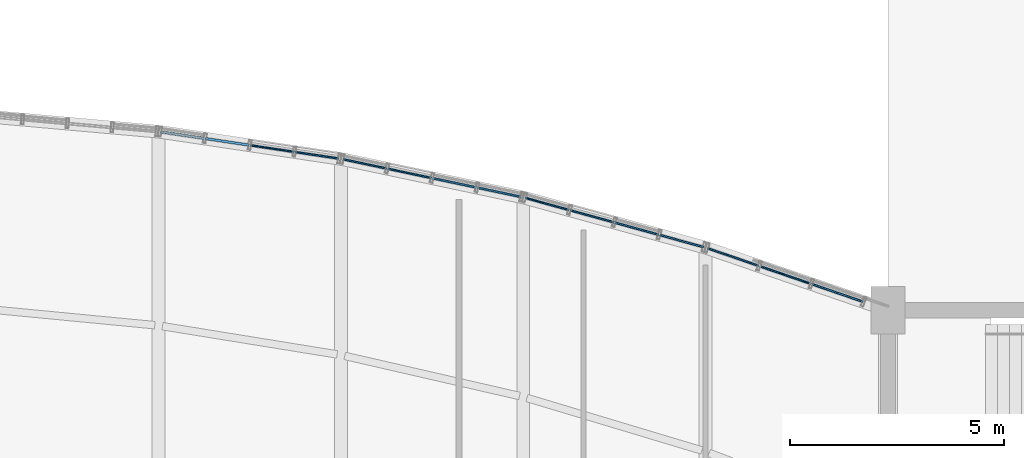
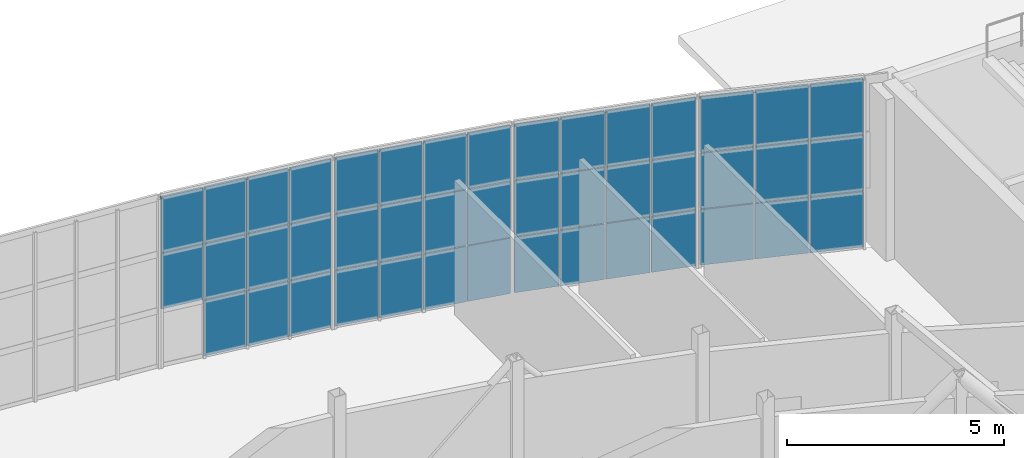
# One storey, part 61 of 86: 44 plates, 4 elements without a shape of their own.
"""IFC4 building model written with IfcOpenShell, lengths in metres."""

import ifcopenshell
import ifcopenshell.guid

model = None  # the IFC model being written
_history = None  # IfcOwnerHistory: only IFC2X3 demands one
_inside = {}  # id of a spatial element -> (the spatial element, [elements in it])
_under = {}  # id of a project, library or spatial element -> (it, [spatial elements below it])
_declared = {}  # id of a project -> (the project, [libraries it declares])
_typed = {}  # id of a type object -> (the type object, [elements of that type])
_made_of = {}  # id of a material, layer set ... -> (it, [elements and type objects made of it])


def new_model(schema):
    """Start an empty IFC model of exactly this schema.

    Asked for "IFC4X3", IfcOpenShell would pick the latest addendum, in which some entities
    have other attributes; the version numbers below select the first issue.
    IFC2X3 requires an IfcOwnerHistory on every rooted entity: one is made here for all.
    """
    global model, _history
    if schema == "IFC4X3":
        model = ifcopenshell.file(schema_version=(4, 3, 0, 0))
    else:
        model = ifcopenshell.file(schema=schema)
    _inside.clear()
    _under.clear()
    _declared.clear()
    _typed.clear()
    _made_of.clear()
    _history = None
    if model.schema == "IFC2X3":
        org = make("IfcOrganization", Name="unknown")
        user = make(
            "IfcPersonAndOrganization",
            ThePerson=make("IfcPerson", FamilyName="unknown"),
            TheOrganization=org,
        )
        app = make(
            "IfcApplication",
            ApplicationDeveloper=org,
            Version="unknown",
            ApplicationFullName="unknown",
            ApplicationIdentifier="unknown",
        )
        _history = make(
            "IfcOwnerHistory",
            OwningUser=user,
            OwningApplication=app,
            ChangeAction="ADDED",
            CreationDate=0,
        )
    return model


def make(cls, **values):
    """One entity of the class cls with the attributes given. An attribute that is None is left unset."""
    return model.create_entity(
        cls, **{name: value for name, value in values.items() if value is not None}
    )


def rooted(cls, **values):
    """An entity with a GlobalId (a new one), such as an element, a storey or a relation."""
    return make(cls, GlobalId=ifcopenshell.guid.new(), OwnerHistory=_history, **values)


def si_unit(unit_type, name, prefix=None):
    """IfcSIUnit, for example si_unit("LENGTHUNIT", "METRE", prefix="MILLI")."""
    return make("IfcSIUnit", UnitType=unit_type, Prefix=prefix, Name=name)


def assignment(units):
    """IfcUnitAssignment: the units of a project."""
    return None if units is None else make("IfcUnitAssignment", Units=units)


def point(xyz):
    """IfcCartesianPoint."""
    return None if xyz is None else make("IfcCartesianPoint", Coordinates=xyz)


def direction(xyz):
    """IfcDirection."""
    return None if xyz is None else make("IfcDirection", DirectionRatios=xyz)


def frame(location, z_axis=None, x_axis=None):
    """IfcAxis2Placement3D, a coordinate frame: its origin and axes. An axis left out is left unset."""
    return make(
        "IfcAxis2Placement3D",
        Location=point(location),
        Axis=direction(z_axis),
        RefDirection=direction(x_axis),
    )


def frame_2d(location, x_axis=None):
    """IfcAxis2Placement2D, a coordinate frame in the plane: its origin and x axis."""
    return make(
        "IfcAxis2Placement2D", Location=point(location), RefDirection=direction(x_axis)
    )


def origin():
    """The frame at (0, 0, 0) with its axes left unset."""
    return frame((0.0, 0.0, 0.0))


def origin_2d():
    """The frame at (0, 0) in the plane with its x axis left unset."""
    return frame_2d((0.0, 0.0))


def place(relative_to, where):
    """IfcLocalPlacement: puts the frame where relative to a parent placement (None: the world)."""
    return make(
        "IfcLocalPlacement", PlacementRelTo=relative_to, RelativePlacement=where
    )


def context(
    kind, dimensions, precision=None, world=None, true_north=None, identifier=None
):
    """IfcGeometricRepresentationContext, for example the 3D "Model" context."""
    return make(
        "IfcGeometricRepresentationContext",
        ContextIdentifier=identifier,
        ContextType=kind,
        CoordinateSpaceDimension=dimensions,
        Precision=precision,
        WorldCoordinateSystem=world,
        TrueNorth=true_north,
    )


def subcontext(parent, identifier, kind, view, scale=None):
    """IfcGeometricRepresentationSubContext, for example "Body" below "Model"."""
    return make(
        "IfcGeometricRepresentationSubContext",
        ContextIdentifier=identifier,
        ContextType=kind,
        ParentContext=parent,
        TargetScale=scale,
        TargetView=view,
    )


def project(units=None, contexts=None):
    """IfcProject with its units and contexts."""
    return rooted(
        "IfcProject",
        Name="project",
        RepresentationContexts=contexts,
        UnitsInContext=assignment(units),
    )


def spatial(cls, under=None, at=None, **own):
    """A site, building, storey or space (cls), placed at a placement, below another one or the project."""
    s = rooted(cls, ObjectPlacement=at, **own)
    if under is not None:
        _under.setdefault(under.id(), (under, []))[1].append(s)
    return s


def profile(cls, at=None, kind="AREA", **sizes):
    """A parametric profile (cls). Its sizes go by their IFC names, for example OverallWidth=200.0."""
    return make(cls, ProfileType=kind, Position=at, **sizes)


def rectangle(**sizes):
    """IfcRectangleProfileDef."""
    return profile("IfcRectangleProfileDef", **sizes)


def extrude(swept, where, along, depth):
    """IfcExtrudedAreaSolid: the profile swept, set in the frame where, extruded along a direction by depth."""
    return make(
        "IfcExtrudedAreaSolid",
        SweptArea=swept,
        Position=where,
        ExtrudedDirection=direction(along),
        Depth=depth,
    )


def shape(context_of_items, identifier, shape_type, items):
    """IfcShapeRepresentation: the items that make up one representation, for example the "Body"."""
    return make(
        "IfcShapeRepresentation",
        ContextOfItems=context_of_items,
        RepresentationIdentifier=identifier,
        RepresentationType=shape_type,
        Items=items,
    )


def material(Name=None, Category=None):
    """IfcMaterial."""
    return make("IfcMaterial", Name=Name, Category=Category)


def layer(
    of_material, thickness, ventilated=None, Name=None, Category=None, Priority=None
):
    """IfcMaterialLayer: one layer of a wall or slab, of a material (None: an air gap)."""
    return make(
        "IfcMaterialLayer",
        Material=of_material,
        LayerThickness=thickness,
        IsVentilated=ventilated,
        Name=Name,
        Category=Category,
        Priority=Priority,
    )


def layer_set(layers, Name=None):
    """IfcMaterialLayerSet."""
    return make("IfcMaterialLayerSet", MaterialLayers=layers, LayerSetName=Name)


def made_of(thing, what):
    """Note that an element or type object is made of a material, layer set ...; save() writes the relation."""
    if what is not None:
        _made_of.setdefault(what.id(), (what, []))[1].append(thing)
    return thing


def type_object(cls, material=None, **own):
    """A type object (cls), such as IfcWallType, which elements share."""
    return made_of(rooted(cls, **own), material)


def element(
    cls,
    number,
    at=None,
    inside=None,
    cuts=None,
    type_object=None,
    material=None,
    context=None,
    identifier="Body",
    shape_type=None,
    held_by="IfcProductDefinitionShape",
    body=None,
    shapes=None,
    **own,
):
    """One element of the class cls, such as IfcWall. Its Tag is "e" and its number.

    at: its placement. inside: the storey or other place that contains it. cuts: it is an
    opening in that element (IfcRelVoidsElement). A single representation is given by context,
    identifier, shape_type and body (its items); several are given by shapes. held_by: the class
    of the entity that holds the representations. save() writes the other relations.
    """
    e = rooted(cls, Tag="e%d" % number, ObjectPlacement=at, **own)
    if body is not None:
        shapes = [shape(context, identifier, shape_type, body)]
    if shapes is not None:
        e.Representation = make(held_by, Representations=shapes)
    if inside is not None:
        _inside.setdefault(inside.id(), (inside, []))[1].append(e)
    if cuts is not None:
        rooted(
            "IfcRelVoidsElement", RelatingBuildingElement=cuts, RelatedOpeningElement=e
        )
    if type_object is not None:
        _typed.setdefault(type_object.id(), (type_object, []))[1].append(e)
    return made_of(e, material)


def aggregate(whole, parts):
    """IfcRelAggregates: a whole, such as a stair, and the parts it consists of."""
    return rooted("IfcRelAggregates", RelatingObject=whole, RelatedObjects=parts)


def save(model, path):
    """Write the relations noted so far, then the file.

    IfcRelAggregates (storeys below a building ...), IfcRelContainedInSpatialStructure (elements
    in a storey), IfcRelDefinesByType, IfcRelAssociatesMaterial and IfcRelDeclares: one each for
    every whole, place, type object, material and project.
    """
    for whole, parts in _under.values():
        aggregate(whole, parts)
    for where, things in _inside.values():
        rooted(
            "IfcRelContainedInSpatialStructure",
            RelatedElements=things,
            RelatingStructure=where,
        )
    for kind, things in _typed.values():
        rooted("IfcRelDefinesByType", RelatedObjects=things, RelatingType=kind)
    for what, things in _made_of.values():
        rooted("IfcRelAssociatesMaterial", RelatedObjects=things, RelatingMaterial=what)
    for by, libraries in _declared.values():
        rooted("IfcRelDeclares", RelatingContext=by, RelatedDefinitions=libraries)
    model.write(path)


model = new_model("IFC4")

# Units and contexts
model_context = context("Model", 3, precision=1e-05, world=origin(), true_north=direction((0.0, 1.0)))
body_context = subcontext(model_context, "Body", "Model", "MODEL_VIEW")
ifc_project = project(units=[si_unit("LENGTHUNIT", "METRE"), si_unit("AREAUNIT", "SQUARE_METRE"), si_unit("VOLUMEUNIT", "CUBIC_METRE"), si_unit("PLANEANGLEUNIT", "RADIAN"), si_unit("MASSUNIT", "GRAM", prefix="KILO")], contexts=[model_context])

# Site, building, storey
site_placement = place(None, origin())
site = spatial("IfcSite", under=ifc_project, at=site_placement, CompositionType="ELEMENT")
building_placement = place(site_placement, origin())
building = spatial("IfcBuilding", under=site, at=building_placement, Name="Solvikara Media Centre", CompositionType="ELEMENT")
storey_placement = place(building_placement, frame((0.0, 0.0, 15.0)))
storey = spatial("IfcBuildingStorey", under=building, at=storey_placement, Name="L03", CompositionType="ELEMENT", Elevation=15.0)

# Curtain wall, plates
ifc_material_1 = material(Name="Anodised aluminium EN AW-6063", Category="aluminium")
curtain_wall_type = type_object("IfcCurtainWallType", Name="CW-02", PredefinedType="NOTDEFINED", material=ifc_material_1)
curtain_wall_1_placement = place(storey_placement, origin())
curtain_wall_1 = element("IfcCurtainWall", 1, at=curtain_wall_1_placement, inside=storey, type_object=curtain_wall_type, Name="CW-L03-NARC-08", PredefinedType="NOTDEFINED")
ifc_material_2 = material(Name="Laminated solar-control cyan vision glass", Category="glass")
ifc_layer_1 = layer(ifc_material_2, 0.035888671875)
ifc_layer_set_1 = layer_set([ifc_layer_1], Name="Laminated solar-control cyan vision glass")
plate_type_1 = type_object("IfcPlateType", Name="PN-01", PredefinedType="CURTAIN_PANEL", material=ifc_layer_set_1)
plate_1_placement = place(storey_placement, frame((113.14794921875, 40.568115234375, 0.03466796875), z_axis=(0.0, 0.0, 1.0), x_axis=(0.989005541908, -0.147878457102, 0.0)))
plate_1 = element("IfcPlate", 2, at=plate_1_placement, type_object=plate_type_1, Name="CW-L03-NARC-08-P0200", PredefinedType="CURTAIN_PANEL", context=body_context, shape_type="SweptSolid", body=[
    extrude(rectangle(XDim=1.027099609375, YDim=0.035888671875, at=origin_2d()), origin(), (0.0, 0.0, 1.0), 1.556884765625),
])
plate_2_placement = place(storey_placement, frame((113.14794921875, 40.568115234375, 1.62158203125), z_axis=(0.0, 0.0, 1.0), x_axis=(0.989005541908, -0.147878457102, 0.0)))
plate_2 = element("IfcPlate", 3, at=plate_2_placement, type_object=plate_type_1, Name="CW-L03-NARC-08-P0201", PredefinedType="CURTAIN_PANEL", context=body_context, shape_type="SweptSolid", body=[
    extrude(rectangle(XDim=1.027099609375, YDim=0.035888671875, at=origin_2d()), origin(), (0.0, 0.0, 1.0), 1.556884765625),
])
plate_3_placement = place(storey_placement, frame((114.19189453125, 40.412109375, 0.03466796875), z_axis=(0.0, 0.0, 1.0), x_axis=(0.989005541908, -0.147878457102, 0.0)))
plate_3 = element("IfcPlate", 4, at=plate_3_placement, type_object=plate_type_1, Name="CW-L03-NARC-08-P0300", PredefinedType="CURTAIN_PANEL", context=body_context, shape_type="SweptSolid", body=[
    extrude(rectangle(XDim=1.027099609375, YDim=0.035888671875, at=origin_2d()), origin(), (0.0, 0.0, 1.0), 1.556884765625),
])

curtain_wall_2_placement = place(storey_placement, origin())
curtain_wall_2 = element("IfcCurtainWall", 5, at=curtain_wall_2_placement, inside=storey, type_object=curtain_wall_type, Name="CW-L03-NARC-09", PredefinedType="NOTDEFINED")
plate_4_placement = place(storey_placement, frame((115.305908203125, 40.2119140625, 0.03466796875), z_axis=(0.0, 0.0, 1.0), x_axis=(0.97837923005, -0.206818959981, 0.0)))
plate_4 = element("IfcPlate", 6, at=plate_4_placement, type_object=plate_type_1, Name="CW-L03-NARC-09-P0000", PredefinedType="CURTAIN_PANEL", context=body_context, shape_type="SweptSolid", body=[
    extrude(rectangle(XDim=1.0390625, YDim=0.035888671875, at=origin_2d()), origin(), (0.0, 0.0, 1.0), 1.556884765625),
])
plate_5_placement = place(storey_placement, frame((116.35205078125, 39.989990234375, 1.62158203125), z_axis=(0.0, 0.0, 1.0), x_axis=(0.97837923005, -0.206818959981, 0.0)))
plate_5 = element("IfcPlate", 7, at=plate_5_placement, type_object=plate_type_1, Name="CW-L03-NARC-09-P0101", PredefinedType="CURTAIN_PANEL", context=body_context, shape_type="SweptSolid", body=[
    extrude(rectangle(XDim=1.0390625, YDim=0.035888671875, at=origin_2d()), origin(), (0.0, 0.0, 1.0), 1.556884765625),
])
plate_6_placement = place(storey_placement, frame((117.39794921875, 39.76904296875, 1.62158203125), z_axis=(0.0, 0.0, 1.0), x_axis=(0.97837923005, -0.206818959981, 0.0)))
plate_6 = element("IfcPlate", 8, at=plate_6_placement, type_object=plate_type_1, Name="CW-L03-NARC-09-P0201", PredefinedType="CURTAIN_PANEL", context=body_context, shape_type="SweptSolid", body=[
    extrude(rectangle(XDim=1.0390625, YDim=0.035888671875, at=origin_2d()), origin(), (0.0, 0.0, 1.0), 1.556884765625),
])
plate_7_placement = place(storey_placement, frame((118.443115234375, 39.549072265625, 0.03466796875), z_axis=(0.0, 0.0, 1.0), x_axis=(0.97837923005, -0.206818959981, 0.0)))
plate_7 = element("IfcPlate", 9, at=plate_7_placement, type_object=plate_type_1, Name="CW-L03-NARC-09-P0300", PredefinedType="CURTAIN_PANEL", context=body_context, shape_type="SweptSolid", body=[
    extrude(rectangle(XDim=1.0390625, YDim=0.035888671875, at=origin_2d()), origin(), (0.0, 0.0, 1.0), 1.556884765625),
])

curtain_wall_3_placement = place(storey_placement, origin())
curtain_wall_3 = element("IfcCurtainWall", 10, at=curtain_wall_3_placement, inside=storey, type_object=curtain_wall_type, Name="CW-L03-NARC-10", PredefinedType="NOTDEFINED")
plate_8_placement = place(storey_placement, frame((119.556884765625, 39.278076171875, 0.03466796875), z_axis=(0.0, 0.0, 1.0), x_axis=(0.964030487854, -0.265791682504, 0.0)))
plate_8 = element("IfcPlate", 11, at=plate_8_placement, type_object=plate_type_1, Name="CW-L03-NARC-10-P0000", PredefinedType="CURTAIN_PANEL", context=body_context, shape_type="SweptSolid", body=[
    extrude(rectangle(XDim=1.054931640625, YDim=0.035888671875, at=origin_2d()), origin(), (0.0, 0.0, 1.0), 1.556884765625),
])
plate_9_placement = place(storey_placement, frame((119.556884765625, 39.278076171875, 3.20849609375), z_axis=(0.0, 0.0, 1.0), x_axis=(0.964030487854, -0.265791682504, 0.0)))
plate_9 = element("IfcPlate", 12, at=plate_9_placement, type_object=plate_type_1, Name="CW-L03-NARC-10-P0002", PredefinedType="CURTAIN_PANEL", context=body_context, shape_type="SweptSolid", body=[
    extrude(rectangle(XDim=1.054931640625, YDim=0.035888671875, at=origin_2d()), origin(), (0.0, 0.0, 1.0), 1.556884765625),
])
plate_10_placement = place(storey_placement, frame((120.60205078125, 38.989990234375, 1.62158203125), z_axis=(0.0, 0.0, 1.0), x_axis=(0.964030487854, -0.265791682504, 0.0)))
plate_10 = element("IfcPlate", 13, at=plate_10_placement, type_object=plate_type_1, Name="CW-L03-NARC-10-P0101", PredefinedType="CURTAIN_PANEL", context=body_context, shape_type="SweptSolid", body=[
    extrude(rectangle(XDim=1.054931640625, YDim=0.035888671875, at=origin_2d()), origin(), (0.0, 0.0, 1.0), 1.556884765625),
])

curtain_wall_4_placement = place(storey_placement, origin())
curtain_wall_4 = element("IfcCurtainWall", 14, at=curtain_wall_4_placement, inside=storey, type_object=curtain_wall_type, Name="CW-L03-NARC-11", PredefinedType="NOTDEFINED")
plate_11_placement = place(storey_placement, frame((123.89208984375, 38.0400390625, 3.20849609375), z_axis=(0.0, 0.0, 1.0), x_axis=(0.945717277442, -0.324990509319, 0.0)))
plate_11 = element("IfcPlate", 15, at=plate_11_placement, type_object=plate_type_1, Name="CW-L03-NARC-11-P0002", PredefinedType="CURTAIN_PANEL", context=body_context, shape_type="SweptSolid", body=[
    extrude(rectangle(XDim=1.257080078125, YDim=0.035888671875, at=origin_2d()), origin(), (0.0, 0.0, 1.0), 1.556884765625),
])
plate_12_placement = place(storey_placement, frame((125.10888671875, 37.62109375, 0.03466796875), z_axis=(0.0, 0.0, 1.0), x_axis=(0.945717277442, -0.324990509319, 0.0)))
plate_12 = element("IfcPlate", 16, at=plate_12_placement, type_object=plate_type_1, Name="CW-L03-NARC-11-P0100", PredefinedType="CURTAIN_PANEL", context=body_context, shape_type="SweptSolid", body=[
    extrude(rectangle(XDim=1.257080078125, YDim=0.035888671875, at=origin_2d()), origin(), (0.0, 0.0, 1.0), 1.556884765625),
])

# Plate
ifc_material_3 = material(Name="Ceramic-fritted teal low-E glass", Category="glass")
ifc_layer_2 = layer(ifc_material_3, 0.0419921875)
ifc_layer_set_2 = layer_set([ifc_layer_2], Name="Ceramic-fritted teal low-E glass")
plate_type_2 = type_object("IfcPlateType", Name="PN-02", PredefinedType="CURTAIN_PANEL", material=ifc_layer_set_2)
plate_13_placement = place(storey_placement, frame((111.056884765625, 40.881103515625, 1.62158203125), z_axis=(0.0, 0.0, 1.0), x_axis=(0.989005541908, -0.147878457102, 0.0)))
plate_13 = element("IfcPlate", 17, at=plate_13_placement, type_object=plate_type_2, Name="CW-L03-NARC-08-P0001", PredefinedType="CURTAIN_PANEL", context=body_context, shape_type="SweptSolid", body=[
    extrude(rectangle(XDim=1.027099609375, YDim=0.0419921875, at=origin_2d()), origin(), (0.0, 0.0, 1.0), 1.556884765625),
])

plate_14_placement = place(storey_placement, frame((113.14794921875, 40.568115234375, 3.20849609375), z_axis=(0.0, 0.0, 1.0), x_axis=(0.989005541908, -0.147878457102, 0.0)))
plate_14 = element("IfcPlate", 18, at=plate_14_placement, type_object=plate_type_2, Name="CW-L03-NARC-08-P0202", PredefinedType="CURTAIN_PANEL", context=body_context, shape_type="SweptSolid", body=[
    extrude(rectangle(XDim=1.027099609375, YDim=0.0419921875, at=origin_2d()), origin(), (0.0, 0.0, 1.0), 1.556884765625),
])

plate_15_placement = place(storey_placement, frame((114.19189453125, 40.412109375, 1.62158203125), z_axis=(0.0, 0.0, 1.0), x_axis=(0.989005541908, -0.147878457102, 0.0)))
plate_15 = element("IfcPlate", 19, at=plate_15_placement, type_object=plate_type_2, Name="CW-L03-NARC-08-P0301", PredefinedType="CURTAIN_PANEL", context=body_context, shape_type="SweptSolid", body=[
    extrude(rectangle(XDim=1.027099609375, YDim=0.0419921875, at=origin_2d()), origin(), (0.0, 0.0, 1.0), 1.556884765625),
])

plate_16_placement = place(storey_placement, frame((114.19189453125, 40.412109375, 3.20849609375), z_axis=(0.0, 0.0, 1.0), x_axis=(0.989005541908, -0.147878457102, 0.0)))
plate_16 = element("IfcPlate", 20, at=plate_16_placement, type_object=plate_type_2, Name="CW-L03-NARC-08-P0302", PredefinedType="CURTAIN_PANEL", context=body_context, shape_type="SweptSolid", body=[
    extrude(rectangle(XDim=1.027099609375, YDim=0.0419921875, at=origin_2d()), origin(), (0.0, 0.0, 1.0), 1.556884765625),
])

plate_17_placement = place(storey_placement, frame((115.305908203125, 40.2119140625, 1.62158203125), z_axis=(0.0, 0.0, 1.0), x_axis=(0.97837923005, -0.206818959981, 0.0)))
plate_17 = element("IfcPlate", 21, at=plate_17_placement, type_object=plate_type_2, Name="CW-L03-NARC-09-P0001", PredefinedType="CURTAIN_PANEL", context=body_context, shape_type="SweptSolid", body=[
    extrude(rectangle(XDim=1.0390625, YDim=0.0419921875, at=origin_2d()), origin(), (0.0, 0.0, 1.0), 1.556884765625),
])

plate_18_placement = place(storey_placement, frame((115.305908203125, 40.2119140625, 3.20849609375), z_axis=(0.0, 0.0, 1.0), x_axis=(0.97837923005, -0.206818959981, 0.0)))
plate_18 = element("IfcPlate", 22, at=plate_18_placement, type_object=plate_type_2, Name="CW-L03-NARC-09-P0002", PredefinedType="CURTAIN_PANEL", context=body_context, shape_type="SweptSolid", body=[
    extrude(rectangle(XDim=1.0390625, YDim=0.0419921875, at=origin_2d()), origin(), (0.0, 0.0, 1.0), 1.556884765625),
])

plate_19_placement = place(storey_placement, frame((116.35205078125, 39.989990234375, 0.03466796875), z_axis=(0.0, 0.0, 1.0), x_axis=(0.97837923005, -0.206818959981, 0.0)))
plate_19 = element("IfcPlate", 23, at=plate_19_placement, type_object=plate_type_2, Name="CW-L03-NARC-09-P0100", PredefinedType="CURTAIN_PANEL", context=body_context, shape_type="SweptSolid", body=[
    extrude(rectangle(XDim=1.0390625, YDim=0.0419921875, at=origin_2d()), origin(), (0.0, 0.0, 1.0), 1.556884765625),
])

plate_20_placement = place(storey_placement, frame((116.35205078125, 39.989990234375, 3.20849609375), z_axis=(0.0, 0.0, 1.0), x_axis=(0.97837923005, -0.206818959981, 0.0)))
plate_20 = element("IfcPlate", 24, at=plate_20_placement, type_object=plate_type_2, Name="CW-L03-NARC-09-P0102", PredefinedType="CURTAIN_PANEL", context=body_context, shape_type="SweptSolid", body=[
    extrude(rectangle(XDim=1.0390625, YDim=0.0419921875, at=origin_2d()), origin(), (0.0, 0.0, 1.0), 1.556884765625),
])

plate_21_placement = place(storey_placement, frame((117.39794921875, 39.76904296875, 0.03466796875), z_axis=(0.0, 0.0, 1.0), x_axis=(0.97837923005, -0.206818959981, 0.0)))
plate_21 = element("IfcPlate", 25, at=plate_21_placement, type_object=plate_type_2, Name="CW-L03-NARC-09-P0200", PredefinedType="CURTAIN_PANEL", context=body_context, shape_type="SweptSolid", body=[
    extrude(rectangle(XDim=1.0390625, YDim=0.0419921875, at=origin_2d()), origin(), (0.0, 0.0, 1.0), 1.556884765625),
])

plate_22_placement = place(storey_placement, frame((118.443115234375, 39.549072265625, 3.20849609375), z_axis=(0.0, 0.0, 1.0), x_axis=(0.97837923005, -0.206818959981, 0.0)))
plate_22 = element("IfcPlate", 26, at=plate_22_placement, type_object=plate_type_2, Name="CW-L03-NARC-09-P0302", PredefinedType="CURTAIN_PANEL", context=body_context, shape_type="SweptSolid", body=[
    extrude(rectangle(XDim=1.0390625, YDim=0.0419921875, at=origin_2d()), origin(), (0.0, 0.0, 1.0), 1.556884765625),
])

plate_23_placement = place(storey_placement, frame((119.556884765625, 39.278076171875, 1.62158203125), z_axis=(0.0, 0.0, 1.0), x_axis=(0.964030487854, -0.265791682504, 0.0)))
plate_23 = element("IfcPlate", 27, at=plate_23_placement, type_object=plate_type_2, Name="CW-L03-NARC-10-P0001", PredefinedType="CURTAIN_PANEL", context=body_context, shape_type="SweptSolid", body=[
    extrude(rectangle(XDim=1.054931640625, YDim=0.0419921875, at=origin_2d()), origin(), (0.0, 0.0, 1.0), 1.556884765625),
])

plate_24_placement = place(storey_placement, frame((120.60205078125, 38.989990234375, 0.03466796875), z_axis=(0.0, 0.0, 1.0), x_axis=(0.964030487854, -0.265791682504, 0.0)))
plate_24 = element("IfcPlate", 28, at=plate_24_placement, type_object=plate_type_2, Name="CW-L03-NARC-10-P0100", PredefinedType="CURTAIN_PANEL", context=body_context, shape_type="SweptSolid", body=[
    extrude(rectangle(XDim=1.054931640625, YDim=0.0419921875, at=origin_2d()), origin(), (0.0, 0.0, 1.0), 1.556884765625),
])

plate_25_placement = place(storey_placement, frame((120.60205078125, 38.989990234375, 3.20849609375), z_axis=(0.0, 0.0, 1.0), x_axis=(0.964030487854, -0.265791682504, 0.0)))
plate_25 = element("IfcPlate", 29, at=plate_25_placement, type_object=plate_type_2, Name="CW-L03-NARC-10-P0102", PredefinedType="CURTAIN_PANEL", context=body_context, shape_type="SweptSolid", body=[
    extrude(rectangle(XDim=1.054931640625, YDim=0.0419921875, at=origin_2d()), origin(), (0.0, 0.0, 1.0), 1.556884765625),
])

plate_26_placement = place(storey_placement, frame((121.64697265625, 38.700927734375, 0.03466796875), z_axis=(0.0, 0.0, 1.0), x_axis=(0.964030487854, -0.265791682504, 0.0)))
plate_26 = element("IfcPlate", 30, at=plate_26_placement, type_object=plate_type_2, Name="CW-L03-NARC-10-P0200", PredefinedType="CURTAIN_PANEL", context=body_context, shape_type="SweptSolid", body=[
    extrude(rectangle(XDim=1.054931640625, YDim=0.0419921875, at=origin_2d()), origin(), (0.0, 0.0, 1.0), 1.556884765625),
])

plate_27_placement = place(storey_placement, frame((121.64697265625, 38.700927734375, 1.62158203125), z_axis=(0.0, 0.0, 1.0), x_axis=(0.964030487854, -0.265791682504, 0.0)))
plate_27 = element("IfcPlate", 31, at=plate_27_placement, type_object=plate_type_2, Name="CW-L03-NARC-10-P0201", PredefinedType="CURTAIN_PANEL", context=body_context, shape_type="SweptSolid", body=[
    extrude(rectangle(XDim=1.054931640625, YDim=0.0419921875, at=origin_2d()), origin(), (0.0, 0.0, 1.0), 1.556884765625),
])

plate_28_placement = place(storey_placement, frame((122.693115234375, 38.4130859375, 0.03466796875), z_axis=(0.0, 0.0, 1.0), x_axis=(0.964030487854, -0.265791682504, 0.0)))
plate_28 = element("IfcPlate", 32, at=plate_28_placement, type_object=plate_type_2, Name="CW-L03-NARC-10-P0300", PredefinedType="CURTAIN_PANEL", context=body_context, shape_type="SweptSolid", body=[
    extrude(rectangle(XDim=1.054931640625, YDim=0.0419921875, at=origin_2d()), origin(), (0.0, 0.0, 1.0), 1.556884765625),
])

plate_29_placement = place(storey_placement, frame((122.693115234375, 38.4130859375, 1.62158203125), z_axis=(0.0, 0.0, 1.0), x_axis=(0.964030487854, -0.265791682504, 0.0)))
plate_29 = element("IfcPlate", 33, at=plate_29_placement, type_object=plate_type_2, Name="CW-L03-NARC-10-P0301", PredefinedType="CURTAIN_PANEL", context=body_context, shape_type="SweptSolid", body=[
    extrude(rectangle(XDim=1.054931640625, YDim=0.0419921875, at=origin_2d()), origin(), (0.0, 0.0, 1.0), 1.556884765625),
])

plate_30_placement = place(storey_placement, frame((122.693115234375, 38.4130859375, 3.20849609375), z_axis=(0.0, 0.0, 1.0), x_axis=(0.964030487854, -0.265791682504, 0.0)))
plate_30 = element("IfcPlate", 34, at=plate_30_placement, type_object=plate_type_2, Name="CW-L03-NARC-10-P0302", PredefinedType="CURTAIN_PANEL", context=body_context, shape_type="SweptSolid", body=[
    extrude(rectangle(XDim=1.054931640625, YDim=0.0419921875, at=origin_2d()), origin(), (0.0, 0.0, 1.0), 1.556884765625),
])

plate_31_placement = place(storey_placement, frame((123.89208984375, 38.0400390625, 0.03466796875), z_axis=(0.0, 0.0, 1.0), x_axis=(0.945717277442, -0.324990509319, 0.0)))
plate_31 = element("IfcPlate", 35, at=plate_31_placement, type_object=plate_type_2, Name="CW-L03-NARC-11-P0000", PredefinedType="CURTAIN_PANEL", context=body_context, shape_type="SweptSolid", body=[
    extrude(rectangle(XDim=1.257080078125, YDim=0.0419921875, at=origin_2d()), origin(), (0.0, 0.0, 1.0), 1.556884765625),
])

plate_32_placement = place(storey_placement, frame((123.89208984375, 38.0400390625, 1.62158203125), z_axis=(0.0, 0.0, 1.0), x_axis=(0.945717277442, -0.324990509319, 0.0)))
plate_32 = element("IfcPlate", 36, at=plate_32_placement, type_object=plate_type_2, Name="CW-L03-NARC-11-P0001", PredefinedType="CURTAIN_PANEL", context=body_context, shape_type="SweptSolid", body=[
    extrude(rectangle(XDim=1.257080078125, YDim=0.0419921875, at=origin_2d()), origin(), (0.0, 0.0, 1.0), 1.556884765625),
])

plate_33_placement = place(storey_placement, frame((125.10888671875, 37.62109375, 1.62158203125), z_axis=(0.0, 0.0, 1.0), x_axis=(0.945717277442, -0.324990509319, 0.0)))
plate_33 = element("IfcPlate", 37, at=plate_33_placement, type_object=plate_type_2, Name="CW-L03-NARC-11-P0101", PredefinedType="CURTAIN_PANEL", context=body_context, shape_type="SweptSolid", body=[
    extrude(rectangle(XDim=1.257080078125, YDim=0.0419921875, at=origin_2d()), origin(), (0.0, 0.0, 1.0), 1.556884765625),
])

plate_34_placement = place(storey_placement, frame((126.325927734375, 37.202880859375, 0.03466796875), z_axis=(0.0, 0.0, 1.0), x_axis=(0.945717277442, -0.324990509319, 0.0)))
plate_34 = element("IfcPlate", 38, at=plate_34_placement, type_object=plate_type_2, Name="CW-L03-NARC-11-P0200", PredefinedType="CURTAIN_PANEL", context=body_context, shape_type="SweptSolid", body=[
    extrude(rectangle(XDim=1.257080078125, YDim=0.0419921875, at=origin_2d()), origin(), (0.0, 0.0, 1.0), 1.556884765625),
])

plate_35_placement = place(storey_placement, frame((126.325927734375, 37.202880859375, 1.62158203125), z_axis=(0.0, 0.0, 1.0), x_axis=(0.945717277442, -0.324990509319, 0.0)))
plate_35 = element("IfcPlate", 39, at=plate_35_placement, type_object=plate_type_2, Name="CW-L03-NARC-11-P0201", PredefinedType="CURTAIN_PANEL", context=body_context, shape_type="SweptSolid", body=[
    extrude(rectangle(XDim=1.257080078125, YDim=0.0419921875, at=origin_2d()), origin(), (0.0, 0.0, 1.0), 1.556884765625),
])

ifc_material_4 = material(Name="Insulated silver-pearl glass spandrel panel", Category="glass")
ifc_layer_3 = layer(ifc_material_4, 0.054931640625)
ifc_layer_set_3 = layer_set([ifc_layer_3], Name="Insulated silver-pearl glass spandrel panel")
plate_type_3 = type_object("IfcPlateType", Name="PN-03", PredefinedType="CURTAIN_PANEL", material=ifc_layer_set_3)
plate_36_placement = place(storey_placement, frame((111.056884765625, 40.881103515625, 3.20849609375), z_axis=(0.0, 0.0, 1.0), x_axis=(0.989005541908, -0.147878457102, 0.0)))
plate_36 = element("IfcPlate", 40, at=plate_36_placement, type_object=plate_type_3, Name="CW-L03-NARC-08-P0002", PredefinedType="CURTAIN_PANEL", context=body_context, shape_type="SweptSolid", body=[
    extrude(rectangle(XDim=1.027099609375, YDim=0.054931640625, at=origin_2d()), origin(), (0.0, 0.0, 1.0), 1.556884765625),
])

plate_37_placement = place(storey_placement, frame((112.10302734375, 40.72509765625, 0.03466796875), z_axis=(0.0, 0.0, 1.0), x_axis=(0.989005541908, -0.147878457102, 0.0)))
plate_37 = element("IfcPlate", 41, at=plate_37_placement, type_object=plate_type_3, Name="CW-L03-NARC-08-P0100", PredefinedType="CURTAIN_PANEL", context=body_context, shape_type="SweptSolid", body=[
    extrude(rectangle(XDim=1.027099609375, YDim=0.054931640625, at=origin_2d()), origin(), (0.0, 0.0, 1.0), 1.556884765625),
])

plate_38_placement = place(storey_placement, frame((112.10302734375, 40.72509765625, 1.62158203125), z_axis=(0.0, 0.0, 1.0), x_axis=(0.989005541908, -0.147878457102, 0.0)))
plate_38 = element("IfcPlate", 42, at=plate_38_placement, type_object=plate_type_3, Name="CW-L03-NARC-08-P0101", PredefinedType="CURTAIN_PANEL", context=body_context, shape_type="SweptSolid", body=[
    extrude(rectangle(XDim=1.027099609375, YDim=0.054931640625, at=origin_2d()), origin(), (0.0, 0.0, 1.0), 1.556884765625),
])

plate_39_placement = place(storey_placement, frame((112.10302734375, 40.72509765625, 3.20849609375), z_axis=(0.0, 0.0, 1.0), x_axis=(0.989005541908, -0.147878457102, 0.0)))
plate_39 = element("IfcPlate", 43, at=plate_39_placement, type_object=plate_type_3, Name="CW-L03-NARC-08-P0102", PredefinedType="CURTAIN_PANEL", context=body_context, shape_type="SweptSolid", body=[
    extrude(rectangle(XDim=1.027099609375, YDim=0.054931640625, at=origin_2d()), origin(), (0.0, 0.0, 1.0), 1.556884765625),
])

aggregate(curtain_wall_1, [plate_13, plate_36, plate_37, plate_38, plate_39, plate_1, plate_2, plate_14, plate_3, plate_15, plate_16])

plate_40_placement = place(storey_placement, frame((117.39794921875, 39.76904296875, 3.20849609375), z_axis=(0.0, 0.0, 1.0), x_axis=(0.97837923005, -0.206818959981, 0.0)))
plate_40 = element("IfcPlate", 44, at=plate_40_placement, type_object=plate_type_3, Name="CW-L03-NARC-09-P0202", PredefinedType="CURTAIN_PANEL", context=body_context, shape_type="SweptSolid", body=[
    extrude(rectangle(XDim=1.0390625, YDim=0.054931640625, at=origin_2d()), origin(), (0.0, 0.0, 1.0), 1.556884765625),
])

plate_41_placement = place(storey_placement, frame((118.443115234375, 39.549072265625, 1.62158203125), z_axis=(0.0, 0.0, 1.0), x_axis=(0.97837923005, -0.206818959981, 0.0)))
plate_41 = element("IfcPlate", 45, at=plate_41_placement, type_object=plate_type_3, Name="CW-L03-NARC-09-P0301", PredefinedType="CURTAIN_PANEL", context=body_context, shape_type="SweptSolid", body=[
    extrude(rectangle(XDim=1.0390625, YDim=0.054931640625, at=origin_2d()), origin(), (0.0, 0.0, 1.0), 1.556884765625),
])

aggregate(curtain_wall_2, [plate_4, plate_17, plate_18, plate_19, plate_5, plate_20, plate_21, plate_6, plate_40, plate_7, plate_41, plate_22])

plate_42_placement = place(storey_placement, frame((121.64697265625, 38.700927734375, 3.20849609375), z_axis=(0.0, 0.0, 1.0), x_axis=(0.964030487854, -0.265791682504, 0.0)))
plate_42 = element("IfcPlate", 46, at=plate_42_placement, type_object=plate_type_3, Name="CW-L03-NARC-10-P0202", PredefinedType="CURTAIN_PANEL", context=body_context, shape_type="SweptSolid", body=[
    extrude(rectangle(XDim=1.054931640625, YDim=0.054931640625, at=origin_2d()), origin(), (0.0, 0.0, 1.0), 1.556884765625),
])

aggregate(curtain_wall_3, [plate_8, plate_23, plate_9, plate_24, plate_10, plate_25, plate_26, plate_27, plate_42, plate_28, plate_29, plate_30])

plate_43_placement = place(storey_placement, frame((125.10888671875, 37.62109375, 3.20849609375), z_axis=(0.0, 0.0, 1.0), x_axis=(0.945717277442, -0.324990509319, 0.0)))
plate_43 = element("IfcPlate", 47, at=plate_43_placement, type_object=plate_type_3, Name="CW-L03-NARC-11-P0102", PredefinedType="CURTAIN_PANEL", context=body_context, shape_type="SweptSolid", body=[
    extrude(rectangle(XDim=1.257080078125, YDim=0.054931640625, at=origin_2d()), origin(), (0.0, 0.0, 1.0), 1.556884765625),
])

plate_44_placement = place(storey_placement, frame((126.325927734375, 37.202880859375, 3.20849609375), z_axis=(0.0, 0.0, 1.0), x_axis=(0.945717277442, -0.324990509319, 0.0)))
plate_44 = element("IfcPlate", 48, at=plate_44_placement, type_object=plate_type_3, Name="CW-L03-NARC-11-P0202", PredefinedType="CURTAIN_PANEL", context=body_context, shape_type="SweptSolid", body=[
    extrude(rectangle(XDim=1.257080078125, YDim=0.054931640625, at=origin_2d()), origin(), (0.0, 0.0, 1.0), 1.556884765625),
])

aggregate(curtain_wall_4, [plate_31, plate_32, plate_11, plate_12, plate_33, plate_43, plate_34, plate_35, plate_44])

save(model, "model.ifc")
